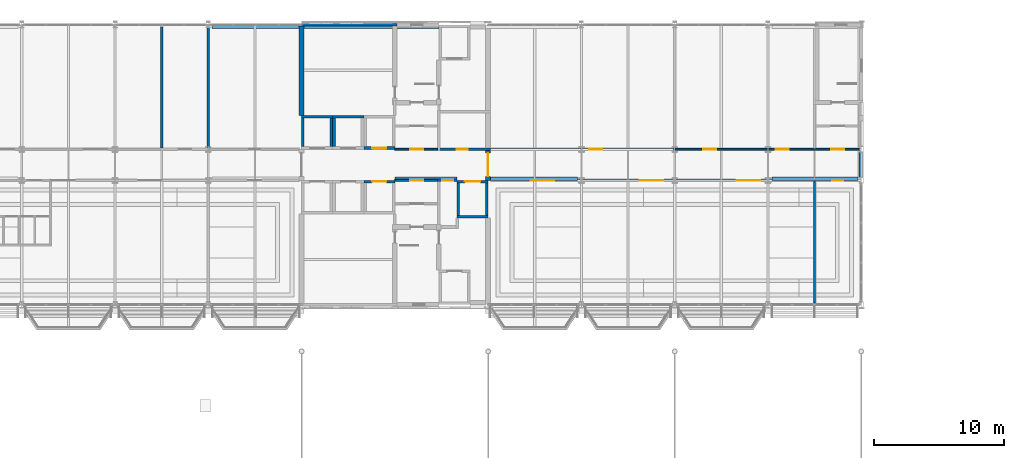
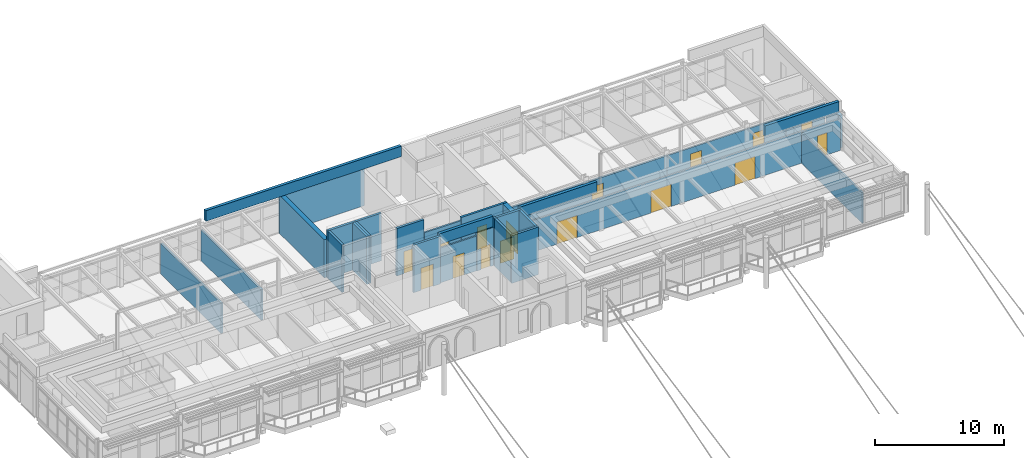
# One storey, part 51 of 68: 30 walls, 16 doors, 16 openings.
"""IFC4 building model written with IfcOpenShell, lengths in metres."""

import ifcopenshell
import ifcopenshell.guid

model = None  # the IFC model being written
_history = None  # IfcOwnerHistory: only IFC2X3 demands one
_inside = {}  # id of a spatial element -> (the spatial element, [elements in it])
_under = {}  # id of a project, library or spatial element -> (it, [spatial elements below it])
_declared = {}  # id of a project -> (the project, [libraries it declares])
_typed = {}  # id of a type object -> (the type object, [elements of that type])
_made_of = {}  # id of a material, layer set ... -> (it, [elements and type objects made of it])


def new_model(schema):
    """Start an empty IFC model of exactly this schema.

    Asked for "IFC4X3", IfcOpenShell would pick the latest addendum, in which some entities
    have other attributes; the version numbers below select the first issue.
    IFC2X3 requires an IfcOwnerHistory on every rooted entity: one is made here for all.
    """
    global model, _history
    if schema == "IFC4X3":
        model = ifcopenshell.file(schema_version=(4, 3, 0, 0))
    else:
        model = ifcopenshell.file(schema=schema)
    _inside.clear()
    _under.clear()
    _declared.clear()
    _typed.clear()
    _made_of.clear()
    _history = None
    if model.schema == "IFC2X3":
        org = make("IfcOrganization", Name="unknown")
        user = make(
            "IfcPersonAndOrganization",
            ThePerson=make("IfcPerson", FamilyName="unknown"),
            TheOrganization=org,
        )
        app = make(
            "IfcApplication",
            ApplicationDeveloper=org,
            Version="unknown",
            ApplicationFullName="unknown",
            ApplicationIdentifier="unknown",
        )
        _history = make(
            "IfcOwnerHistory",
            OwningUser=user,
            OwningApplication=app,
            ChangeAction="ADDED",
            CreationDate=0,
        )
    return model


def make(cls, **values):
    """One entity of the class cls with the attributes given. An attribute that is None is left unset."""
    return model.create_entity(
        cls, **{name: value for name, value in values.items() if value is not None}
    )


def rooted(cls, **values):
    """An entity with a GlobalId (a new one), such as an element, a storey or a relation."""
    return make(cls, GlobalId=ifcopenshell.guid.new(), OwnerHistory=_history, **values)


def si_unit(unit_type, name, prefix=None):
    """IfcSIUnit, for example si_unit("LENGTHUNIT", "METRE", prefix="MILLI")."""
    return make("IfcSIUnit", UnitType=unit_type, Prefix=prefix, Name=name)


def assignment(units):
    """IfcUnitAssignment: the units of a project."""
    return None if units is None else make("IfcUnitAssignment", Units=units)


def point(xyz):
    """IfcCartesianPoint."""
    return None if xyz is None else make("IfcCartesianPoint", Coordinates=xyz)


def direction(xyz):
    """IfcDirection."""
    return None if xyz is None else make("IfcDirection", DirectionRatios=xyz)


def frame(location, z_axis=None, x_axis=None):
    """IfcAxis2Placement3D, a coordinate frame: its origin and axes. An axis left out is left unset."""
    return make(
        "IfcAxis2Placement3D",
        Location=point(location),
        Axis=direction(z_axis),
        RefDirection=direction(x_axis),
    )


def frame_2d(location, x_axis=None):
    """IfcAxis2Placement2D, a coordinate frame in the plane: its origin and x axis."""
    return make(
        "IfcAxis2Placement2D", Location=point(location), RefDirection=direction(x_axis)
    )


def origin():
    """The frame at (0, 0, 0) with its axes left unset."""
    return frame((0.0, 0.0, 0.0))


def place(relative_to, where):
    """IfcLocalPlacement: puts the frame where relative to a parent placement (None: the world)."""
    return make(
        "IfcLocalPlacement", PlacementRelTo=relative_to, RelativePlacement=where
    )


def context(
    kind, dimensions, precision=None, world=None, true_north=None, identifier=None
):
    """IfcGeometricRepresentationContext, for example the 3D "Model" context."""
    return make(
        "IfcGeometricRepresentationContext",
        ContextIdentifier=identifier,
        ContextType=kind,
        CoordinateSpaceDimension=dimensions,
        Precision=precision,
        WorldCoordinateSystem=world,
        TrueNorth=true_north,
    )


def subcontext(parent, identifier, kind, view, scale=None):
    """IfcGeometricRepresentationSubContext, for example "Body" below "Model"."""
    return make(
        "IfcGeometricRepresentationSubContext",
        ContextIdentifier=identifier,
        ContextType=kind,
        ParentContext=parent,
        TargetScale=scale,
        TargetView=view,
    )


def project(units=None, contexts=None):
    """IfcProject with its units and contexts."""
    return rooted(
        "IfcProject",
        Name="project",
        RepresentationContexts=contexts,
        UnitsInContext=assignment(units),
    )


def spatial(cls, under=None, at=None, **own):
    """A site, building, storey or space (cls), placed at a placement, below another one or the project."""
    s = rooted(cls, ObjectPlacement=at, **own)
    if under is not None:
        _under.setdefault(under.id(), (under, []))[1].append(s)
    return s


def profile(cls, at=None, kind="AREA", **sizes):
    """A parametric profile (cls). Its sizes go by their IFC names, for example OverallWidth=200.0."""
    return make(cls, ProfileType=kind, Position=at, **sizes)


def rectangle(**sizes):
    """IfcRectangleProfileDef."""
    return profile("IfcRectangleProfileDef", **sizes)


def extrude(swept, where, along, depth):
    """IfcExtrudedAreaSolid: the profile swept, set in the frame where, extruded along a direction by depth."""
    return make(
        "IfcExtrudedAreaSolid",
        SweptArea=swept,
        Position=where,
        ExtrudedDirection=direction(along),
        Depth=depth,
    )


def shape(context_of_items, identifier, shape_type, items):
    """IfcShapeRepresentation: the items that make up one representation, for example the "Body"."""
    return make(
        "IfcShapeRepresentation",
        ContextOfItems=context_of_items,
        RepresentationIdentifier=identifier,
        RepresentationType=shape_type,
        Items=items,
    )


def material(Name=None, Category=None):
    """IfcMaterial."""
    return make("IfcMaterial", Name=Name, Category=Category)


def layer(
    of_material, thickness, ventilated=None, Name=None, Category=None, Priority=None
):
    """IfcMaterialLayer: one layer of a wall or slab, of a material (None: an air gap)."""
    return make(
        "IfcMaterialLayer",
        Material=of_material,
        LayerThickness=thickness,
        IsVentilated=ventilated,
        Name=Name,
        Category=Category,
        Priority=Priority,
    )


def layer_set(layers, Name=None):
    """IfcMaterialLayerSet."""
    return make("IfcMaterialLayerSet", MaterialLayers=layers, LayerSetName=Name)


def made_of(thing, what):
    """Note that an element or type object is made of a material, layer set ...; save() writes the relation."""
    if what is not None:
        _made_of.setdefault(what.id(), (what, []))[1].append(thing)
    return thing


def type_object(cls, material=None, **own):
    """A type object (cls), such as IfcWallType, which elements share."""
    return made_of(rooted(cls, **own), material)


def element(
    cls,
    number,
    at=None,
    inside=None,
    cuts=None,
    type_object=None,
    material=None,
    context=None,
    identifier="Body",
    shape_type=None,
    held_by="IfcProductDefinitionShape",
    body=None,
    shapes=None,
    **own,
):
    """One element of the class cls, such as IfcWall. Its Tag is "e" and its number.

    at: its placement. inside: the storey or other place that contains it. cuts: it is an
    opening in that element (IfcRelVoidsElement). A single representation is given by context,
    identifier, shape_type and body (its items); several are given by shapes. held_by: the class
    of the entity that holds the representations. save() writes the other relations.
    """
    e = rooted(cls, Tag="e%d" % number, ObjectPlacement=at, **own)
    if body is not None:
        shapes = [shape(context, identifier, shape_type, body)]
    if shapes is not None:
        e.Representation = make(held_by, Representations=shapes)
    if inside is not None:
        _inside.setdefault(inside.id(), (inside, []))[1].append(e)
    if cuts is not None:
        rooted(
            "IfcRelVoidsElement", RelatingBuildingElement=cuts, RelatedOpeningElement=e
        )
    if type_object is not None:
        _typed.setdefault(type_object.id(), (type_object, []))[1].append(e)
    return made_of(e, material)


def fill(opening, filler):
    """IfcRelFillsElement: the door or window that sits in an opening."""
    return rooted(
        "IfcRelFillsElement",
        RelatingOpeningElement=opening,
        RelatedBuildingElement=filler,
    )


def aggregate(whole, parts):
    """IfcRelAggregates: a whole, such as a stair, and the parts it consists of."""
    return rooted("IfcRelAggregates", RelatingObject=whole, RelatedObjects=parts)


def save(model, path):
    """Write the relations noted so far, then the file.

    IfcRelAggregates (storeys below a building ...), IfcRelContainedInSpatialStructure (elements
    in a storey), IfcRelDefinesByType, IfcRelAssociatesMaterial and IfcRelDeclares: one each for
    every whole, place, type object, material and project.
    """
    for whole, parts in _under.values():
        aggregate(whole, parts)
    for where, things in _inside.values():
        rooted(
            "IfcRelContainedInSpatialStructure",
            RelatedElements=things,
            RelatingStructure=where,
        )
    for kind, things in _typed.values():
        rooted("IfcRelDefinesByType", RelatedObjects=things, RelatingType=kind)
    for what, things in _made_of.values():
        rooted("IfcRelAssociatesMaterial", RelatedObjects=things, RelatingMaterial=what)
    for by, libraries in _declared.values():
        rooted("IfcRelDeclares", RelatingContext=by, RelatedDefinitions=libraries)
    model.write(path)


model = new_model("IFC4")

# Units and contexts
model_context = context("Model", 3, precision=1e-05, world=origin(), true_north=direction((0.0, 1.0)))
body_context = subcontext(model_context, "Body", "Model", "MODEL_VIEW")
ifc_project = project(units=[si_unit("LENGTHUNIT", "METRE"), si_unit("AREAUNIT", "SQUARE_METRE"), si_unit("VOLUMEUNIT", "CUBIC_METRE"), si_unit("PLANEANGLEUNIT", "RADIAN"), si_unit("MASSUNIT", "GRAM", prefix="KILO")], contexts=[model_context])

# Site, building, storey
site_placement = place(None, origin())
site = spatial("IfcSite", under=ifc_project, at=site_placement, CompositionType="ELEMENT")
building_placement = place(site_placement, origin())
building = spatial("IfcBuilding", under=site, at=building_placement, Name="Kupolbacken Congress Centre", CompositionType="ELEMENT")
storey_placement = place(building_placement, frame((0.0, 0.0, 25.199951171875)))
storey = spatial("IfcBuildingStorey", under=building, at=storey_placement, Name="L07", CompositionType="ELEMENT", Elevation=25.199951171875)

# Wall
ifc_material_1 = material(Name="Brick", Category="masonry")
ifc_layer_1 = layer(ifc_material_1, 0.10791015625)
ifc_material_2 = material(Name="Air cavity", Category="air")
ifc_layer_2 = layer(ifc_material_2, 0.050048828125, ventilated=True)
ifc_material_3 = material(Name="Mineral wool", Category="insulation")
ifc_layer_3 = layer(ifc_material_3, 0.1298828125)
ifc_material_4 = material(Name="Steel studs", Category="metal")
ifc_layer_4 = layer(ifc_material_4, 0.052001953125)
ifc_layer_set_1 = layer_set([ifc_layer_1, ifc_layer_2, ifc_layer_3, ifc_layer_4], Name="Brick / Mineral wool / Steel studs")
wall_type_1 = type_object("IfcWallType", Name="EW02 external cavity wall 340", PredefinedType="SOLIDWALL", material=ifc_layer_set_1)
wall_1_placement = place(storey_placement, frame((136.800048828125, 132.22509765625, 0.0), z_axis=(0.0, 0.0, 1.0), x_axis=(0.0, 1.0, 0.0)))
element("IfcWall", 1, at=wall_1_placement, inside=storey, type_object=wall_type_1, Name="E/T/E/L07/100", PredefinedType="SOLIDWALL", context=body_context, shape_type="SweptSolid", body=[
    extrude(rectangle(XDim=1.949951171875, YDim=0.340087890625, at=frame_2d((0.97509765625, 0.0))), origin(), (0.0, 0.0, 1.0), 3.090087890625),
])

# Wall, openings, doors
ifc_material_5 = material(Name="Gypsum board", Category="drywall")
ifc_layer_5 = layer(ifc_material_5, 0.135009765625)
ifc_layer_set_2 = layer_set([ifc_layer_5], Name="Gypsum board")
wall_type_2 = type_object("IfcWallType", Name="P06 compartment wall 135", PredefinedType="PARTITIONING", material=ifc_layer_set_2)
wall_2_placement = place(storey_placement, frame((108.199951171875, 132.0, 0.0), z_axis=(0.0, 0.0, 1.0), x_axis=(1.0, 0.0, 0.0)))
wall_2 = element("IfcWall", 2, at=wall_2_placement, inside=storey, type_object=wall_type_2, Name="T/wall/L07/x/13200/10800", PredefinedType="PARTITIONING", context=body_context, shape_type="SweptSolid", body=[
    extrude(rectangle(XDim=28.429931640625, YDim=0.135009765625, at=frame_2d((14.21484375, 0.0))), origin(), (0.0, 0.0, 1.0), 2.989990234375),
])
opening_1_placement = place(wall_2_placement, frame((26.375, 0.0, 0.0)))
opening_1 = element("IfcOpeningElement", 3, at=opening_1_placement, cuts=wall_2, Name="Opening D3", PredefinedType="OPENING", context=body_context, shape_type="SweptSolid", body=[
    extrude(rectangle(XDim=0.85009765625, YDim=2.10009765625, at=frame_2d((0.425048828125, 1.050048828125))), frame((0.0, 0.077392578125, 0.0), z_axis=(0.0, -1.0, 0.0), x_axis=(1.0, 0.0, 0.0)), (0.0, 0.0, 1.0), 0.155029296875),
])
opening_2_placement = place(wall_2_placement, frame((3.10009765625, 0.0, 0.0)))
opening_2 = element("IfcOpeningElement", 4, at=opening_2_placement, cuts=wall_2, Name="Opening D14", PredefinedType="OPENING", context=body_context, shape_type="SweptSolid", body=[
    extrude(rectangle(XDim=1.800048828125, YDim=2.10009765625, at=frame_2d((0.89990234375, 1.050048828125))), frame((0.0, 0.077392578125, 0.0), z_axis=(0.0, -1.0, 0.0), x_axis=(1.0, 0.0, 0.0)), (0.0, 0.0, 1.0), 0.155029296875),
])
opening_3_placement = place(wall_2_placement, frame((11.5, 0.0, 0.0)))
opening_3 = element("IfcOpeningElement", 5, at=opening_3_placement, cuts=wall_2, Name="Opening D14", PredefinedType="OPENING", context=body_context, shape_type="SweptSolid", body=[
    extrude(rectangle(XDim=1.800048828125, YDim=2.10009765625, at=frame_2d((0.89990234375, 1.050048828125))), frame((0.0, 0.077392578125, 0.0), z_axis=(0.0, -1.0, 0.0), x_axis=(1.0, 0.0, 0.0)), (0.0, 0.0, 1.0), 0.155029296875),
])
opening_4_placement = place(wall_2_placement, frame((19.0, 0.0, 0.0)))
opening_4 = element("IfcOpeningElement", 6, at=opening_4_placement, cuts=wall_2, Name="Opening D14", PredefinedType="OPENING", context=body_context, shape_type="SweptSolid", body=[
    extrude(rectangle(XDim=1.800048828125, YDim=2.10009765625, at=frame_2d((0.89990234375, 1.050048828125))), frame((0.0, 0.077392578125, 0.0), z_axis=(0.0, -1.0, 0.0), x_axis=(1.0, 0.0, 0.0)), (0.0, 0.0, 1.0), 0.155029296875),
])
ifc_material_6 = material(Name="Steel fire door leaf", Category="steel")
door_type_1 = type_object("IfcDoorType", Name="D14 fire door 1800x2100", OperationType="DOUBLE_DOOR_SINGLE_SWING", PredefinedType="DOOR", material=ifc_material_6)
door_1_placement = place(opening_2_placement, frame((1.800048828125, 0.0, 0.0), z_axis=(0.0, 0.0, 1.0), x_axis=(-1.0, 0.0, 0.0)))
door_1 = element("IfcDoor", 7, at=door_1_placement, inside=storey, type_object=door_type_1, Name="T/wall/L07/x/13200/10800/D-TRS2-S1", OperationType="DOUBLE_DOOR_SINGLE_SWING", OverallHeight=2.10009765625, OverallWidth=1.800048828125, PredefinedType="DOOR", context=body_context, shape_type="SweptSolid", body=[
    extrude(rectangle(XDim=1.800048828125, YDim=2.10009765625, at=frame_2d((0.89990234375, 1.050048828125))), frame((0.0, 0.02490234375, 0.0), z_axis=(0.0, -1.0, 0.0), x_axis=(1.0, 0.0, 0.0)), (0.0, 0.0, 1.0), 0.050048828125),
])
fill(opening_2, door_1)
door_2_placement = place(opening_3_placement, origin())
door_2 = element("IfcDoor", 8, at=door_2_placement, inside=storey, type_object=door_type_1, Name="T/wall/L07/x/13200/10800/D-TRS2-S2", OperationType="DOUBLE_DOOR_SINGLE_SWING", OverallHeight=2.10009765625, OverallWidth=1.800048828125, PredefinedType="DOOR", context=body_context, shape_type="SweptSolid", body=[
    extrude(rectangle(XDim=1.800048828125, YDim=2.10009765625, at=frame_2d((0.89990234375, 1.050048828125))), frame((0.0, 0.02490234375, 0.0), z_axis=(0.0, -1.0, 0.0), x_axis=(1.0, 0.0, 0.0)), (0.0, 0.0, 1.0), 0.050048828125),
])
fill(opening_3, door_2)
door_3_placement = place(opening_4_placement, origin())
door_3 = element("IfcDoor", 9, at=door_3_placement, inside=storey, type_object=door_type_1, Name="T/wall/L07/x/13200/10800/D-TRS2-S3", OperationType="DOUBLE_DOOR_SINGLE_SWING", OverallHeight=2.10009765625, OverallWidth=1.800048828125, PredefinedType="DOOR", context=body_context, shape_type="SweptSolid", body=[
    extrude(rectangle(XDim=1.800048828125, YDim=2.10009765625, at=frame_2d((0.89990234375, 1.050048828125))), frame((0.0, 0.02490234375, 0.0), z_axis=(0.0, -1.0, 0.0), x_axis=(1.0, 0.0, 0.0)), (0.0, 0.0, 1.0), 0.050048828125),
])
fill(opening_4, door_3)
ifc_material_7 = material(Name="Steel fire door leaf", Category="steel")
door_type_2 = type_object("IfcDoorType", Name="D3 fire door 850x2100", OperationType="SINGLE_SWING_LEFT", PredefinedType="DOOR", material=ifc_material_7)
door_4_placement = place(opening_1_placement, frame((0.85009765625, 0.0, 0.0), z_axis=(0.0, 0.0, 1.0), x_axis=(-1.0, 0.0, 0.0)))
door_4 = element("IfcDoor", 10, at=door_4_placement, inside=storey, type_object=door_type_2, Name="T/wall/L07/x/13200/10800/D-EE-D", OperationType="SINGLE_SWING_LEFT", OverallHeight=2.10009765625, OverallWidth=0.85009765625, PredefinedType="DOOR", context=body_context, shape_type="SweptSolid", body=[
    extrude(rectangle(XDim=0.85009765625, YDim=2.10009765625, at=frame_2d((0.425048828125, 1.050048828125))), frame((0.0, 0.02490234375, 0.0), z_axis=(0.0, -1.0, 0.0), x_axis=(1.0, 0.0, 0.0)), (0.0, 0.0, 1.0), 0.050048828125),
])
fill(opening_1, door_4)

wall_3_placement = place(storey_placement, frame((122.3125, 134.39990234375, 0.0), z_axis=(0.0, 0.0, 1.0), x_axis=(1.0, 0.0, 0.0)))
wall_3 = element("IfcWall", 11, at=wall_3_placement, inside=storey, type_object=wall_type_2, Name="T/wall/L07/x/13440/12240", PredefinedType="PARTITIONING", context=body_context, shape_type="SweptSolid", body=[
    extrude(rectangle(XDim=10.95751953125, YDim=0.135009765625, at=frame_2d((5.478759765625, 0.0))), origin(), (0.0, 0.0, 1.0), 2.989990234375),
])
opening_5_placement = place(wall_3_placement, frame((2.28759765625, 0.0, 0.0)))
opening_5 = element("IfcOpeningElement", 12, at=opening_5_placement, cuts=wall_3, Name="Opening D8", PredefinedType="OPENING", context=body_context, shape_type="SweptSolid", body=[
    extrude(rectangle(XDim=1.0, YDim=2.39990234375, at=frame_2d((0.5, 1.199951171875))), frame((0.0, 0.077392578125, 0.0), z_axis=(0.0, -1.0, 0.0), x_axis=(1.0, 0.0, 0.0)), (0.0, 0.0, 1.0), 0.155029296875),
])
opening_6_placement = place(wall_3_placement, frame((7.887451171875, 0.0, 0.0)))
opening_6 = element("IfcOpeningElement", 13, at=opening_6_placement, cuts=wall_3, Name="Opening D8", PredefinedType="OPENING", context=body_context, shape_type="SweptSolid", body=[
    extrude(rectangle(XDim=1.0, YDim=2.39990234375, at=frame_2d((0.5, 1.199951171875))), frame((0.0, 0.077392578125, 0.0), z_axis=(0.0, -1.0, 0.0), x_axis=(1.0, 0.0, 0.0)), (0.0, 0.0, 1.0), 0.155029296875),
])
ifc_material_8 = material(Name="Steel fire door leaf", Category="steel")
door_type_3 = type_object("IfcDoorType", Name="D8 fire door 1000x2400", OperationType="SINGLE_SWING_LEFT", PredefinedType="DOOR", material=ifc_material_8)
door_5_placement = place(opening_5_placement, frame((1.0, 0.0, 0.0), z_axis=(0.0, 0.0, 1.0), x_axis=(-1.0, 0.0, 0.0)))
door_5 = element("IfcDoor", 14, at=door_5_placement, inside=storey, type_object=door_type_3, Name="T/wall/L07/x/13440/12240/D-SK2-S1", OperationType="SINGLE_SWING_RIGHT", OverallHeight=2.39990234375, OverallWidth=1.0, PredefinedType="DOOR", context=body_context, shape_type="SweptSolid", body=[
    extrude(rectangle(XDim=1.0, YDim=2.39990234375, at=frame_2d((0.5, 1.199951171875))), frame((0.0, 0.02490234375, 0.0), z_axis=(0.0, -1.0, 0.0), x_axis=(1.0, 0.0, 0.0)), (0.0, 0.0, 1.0), 0.050048828125),
])
fill(opening_5, door_5)
door_6_placement = place(opening_6_placement, frame((1.0, 0.0, 0.0), z_axis=(0.0, 0.0, 1.0), x_axis=(-1.0, 0.0, 0.0)))
door_6 = element("IfcDoor", 15, at=door_6_placement, inside=storey, type_object=door_type_3, Name="T/wall/L07/x/13440/12240/D-SK2-S2", OperationType="SINGLE_SWING_LEFT", OverallHeight=2.39990234375, OverallWidth=1.0, PredefinedType="DOOR", context=body_context, shape_type="SweptSolid", body=[
    extrude(rectangle(XDim=1.0, YDim=2.39990234375, at=frame_2d((0.5, 1.199951171875))), frame((0.0, 0.02490234375, 0.0), z_axis=(0.0, -1.0, 0.0), x_axis=(1.0, 0.0, 0.0)), (0.0, 0.0, 1.0), 0.050048828125),
])
fill(opening_6, door_6)

# Wall
wall_4_placement = place(storey_placement, frame((133.199951171875, 122.570068359375, 0.0), z_axis=(0.0, 0.0, 1.0), x_axis=(0.0, 1.0, 0.0)))
element("IfcWall", 16, at=wall_4_placement, inside=storey, type_object=wall_type_2, Name="T/wall/L07/y/13320/12240", PredefinedType="PARTITIONING", context=body_context, shape_type="SweptSolid", body=[
    extrude(rectangle(XDim=9.362548828125, YDim=0.135009765625, at=frame_2d((4.68115234375, 0.0))), origin(), (0.0, 0.0, 1.0), 2.89013671875),
])

# Wall, opening, door
ifc_material_9 = material(Name="Gypsum board", Category="drywall")
ifc_layer_6 = layer(ifc_material_9, 0.175048828125)
ifc_layer_set_3 = layer_set([ifc_layer_6], Name="Gypsum board")
wall_type_3 = type_object("IfcWallType", Name="P09 partition 175", PredefinedType="PARTITIONING", material=ifc_layer_set_3)
wall_5_placement = place(storey_placement, frame((108.199951171875, 134.39990234375, 0.0), z_axis=(0.0, 0.0, 1.0), x_axis=(1.0, 0.0, 0.0)))
wall_5 = element("IfcWall", 17, at=wall_5_placement, inside=storey, type_object=wall_type_3, Name="T/wall/L07/x/13440/10810", PredefinedType="PARTITIONING", context=body_context, shape_type="SweptSolid", body=[
    extrude(rectangle(XDim=14.28759765625, YDim=0.175048828125, at=frame_2d((7.143798828125, 0.0))), origin(), (0.0, 0.0, 1.0), 2.989990234375),
])
opening_7_placement = place(wall_5_placement, frame((7.60009765625, 0.0, 0.0)))
opening_7 = element("IfcOpeningElement", 18, at=opening_7_placement, cuts=wall_5, Name="Opening D8", PredefinedType="OPENING", context=body_context, shape_type="SweptSolid", body=[
    extrude(rectangle(XDim=1.0, YDim=2.39990234375, at=frame_2d((0.5, 1.199951171875))), frame((0.0, 0.097412109375, 0.0), z_axis=(0.0, -1.0, 0.0), x_axis=(1.0, 0.0, 0.0)), (0.0, 0.0, 1.0), 0.195068359375),
])
door_7_placement = place(opening_7_placement, origin())
door_7 = element("IfcDoor", 19, at=door_7_placement, inside=storey, type_object=door_type_3, Name="T/wall/L07/x/13440/10810/D-KN2-S1", OperationType="SINGLE_SWING_LEFT", OverallHeight=2.39990234375, OverallWidth=1.0, PredefinedType="DOOR", context=body_context, shape_type="SweptSolid", body=[
    extrude(rectangle(XDim=1.0, YDim=2.39990234375, at=frame_2d((0.5, 1.199951171875))), frame((0.0, 0.02490234375, 0.0), z_axis=(0.0, -1.0, 0.0), x_axis=(1.0, 0.0, 0.0)), (0.0, 0.0, 1.0), 0.050048828125),
])
fill(opening_7, door_7)

# Walls
for number, where, z_axis, x_axis, name in (
    (20, (82.800048828125, 134.487548828125, 0.0), (0.0, 0.0, 1.0), (0.0, 1.0, 0.0), "T/wall/L07/y/8280/13440"),
    (21, (86.39990234375, 134.487548828125, 0.0), (0.0, 0.0, 1.0), (0.0, 1.0, 0.0), "T/wall/L07/y/8640/13440"),
):
    element("IfcWall", number, at=place(storey_placement, frame(where, z_axis=z_axis, x_axis=x_axis)), inside=storey, type_object=wall_type_3, Name=name, PredefinedType="PARTITIONING", context=body_context, shape_type="SweptSolid", body=[
        extrude(rectangle(XDim=9.342529296875, YDim=0.175048828125, at=frame_2d((4.67138671875, 0.0))), origin(), (0.0, 0.0, 1.0), 2.89013671875),
    ])

# Wall, opening, door
ifc_material_10 = material(Name="Aerated concrete block", Category="masonry")
ifc_layer_7 = layer(ifc_material_10, 0.139892578125)
ifc_layer_set_4 = layer_set([ifc_layer_7], Name="Aerated concrete block")
wall_type_4 = type_object("IfcWallType", Name="P14 compartment wall 140", PredefinedType="PARTITIONING", material=ifc_layer_set_4)
wall_6_placement = place(storey_placement, frame((100.800048828125, 132.0, 0.0), z_axis=(0.0, 0.0, 1.0), x_axis=(1.0, 0.0, 0.0)))
wall_6 = element("IfcWall", 22, at=wall_6_placement, inside=storey, type_object=wall_type_4, Name="T/wall/L07/x/13200/10080", PredefinedType="PARTITIONING", context=body_context, shape_type="SweptSolid", body=[
    extrude(rectangle(XDim=3.300048828125, YDim=0.139892578125, at=frame_2d((1.64990234375, 0.0))), origin(), (0.0, 0.0, 1.0), 3.2900390625),
])
opening_8_placement = place(wall_6_placement, frame((1.199951171875, 0.0, 0.0)))
opening_8 = element("IfcOpeningElement", 23, at=opening_8_placement, cuts=wall_6, Name="Opening D5", PredefinedType="OPENING", context=body_context, shape_type="SweptSolid", body=[
    extrude(rectangle(XDim=1.0, YDim=2.10009765625, at=frame_2d((0.5, 1.050048828125))), frame((0.0, 0.079833984375, 0.0), z_axis=(0.0, -1.0, 0.0), x_axis=(1.0, 0.0, 0.0)), (0.0, 0.0, 1.0), 0.159912109375),
])
ifc_material_11 = material(Name="Steel fire door leaf", Category="steel")
door_type_4 = type_object("IfcDoorType", Name="D5 stair door 1000x2100", OperationType="SINGLE_SWING_LEFT", PredefinedType="DOOR", material=ifc_material_11)
door_8_placement = place(opening_8_placement, frame((1.0, 0.0, 0.0), z_axis=(0.0, 0.0, 1.0), x_axis=(-1.0, 0.0, 0.0)))
door_8 = element("IfcDoor", 24, at=door_8_placement, inside=storey, type_object=door_type_4, Name="T/wall/L07/x/13200/10080/D-TS1-LK3", OperationType="SINGLE_SWING_RIGHT", OverallHeight=2.10009765625, OverallWidth=1.0, PredefinedType="DOOR", context=body_context, shape_type="SweptSolid", body=[
    extrude(rectangle(XDim=1.0, YDim=2.10009765625, at=frame_2d((0.5, 1.050048828125))), frame((0.0, 0.02490234375, 0.0), z_axis=(0.0, -1.0, 0.0), x_axis=(1.0, 0.0, 0.0)), (0.0, 0.0, 1.0), 0.050048828125),
])
fill(opening_8, door_8)

wall_7_placement = place(storey_placement, frame((100.800048828125, 134.39990234375, 0.0), z_axis=(0.0, 0.0, 1.0), x_axis=(1.0, 0.0, 0.0)))
wall_7 = element("IfcWall", 25, at=wall_7_placement, inside=storey, type_object=wall_type_4, Name="T/wall/L07/x/13440/10080", PredefinedType="PARTITIONING", context=body_context, shape_type="SweptSolid", body=[
    extrude(rectangle(XDim=3.300048828125, YDim=0.139892578125, at=frame_2d((1.64990234375, 0.0))), origin(), (0.0, 0.0, 1.0), 3.2900390625),
])
opening_9_placement = place(wall_7_placement, frame((1.199951171875, 0.0, 0.0)))
opening_9 = element("IfcOpeningElement", 26, at=opening_9_placement, cuts=wall_7, Name="Opening D5", PredefinedType="OPENING", context=body_context, shape_type="SweptSolid", body=[
    extrude(rectangle(XDim=1.0, YDim=2.10009765625, at=frame_2d((0.5, 1.050048828125))), frame((0.0, 0.079833984375, 0.0), z_axis=(0.0, -1.0, 0.0), x_axis=(1.0, 0.0, 0.0)), (0.0, 0.0, 1.0), 0.159912109375),
])
door_9_placement = place(opening_9_placement, frame((1.0, 0.0, 0.0), z_axis=(0.0, 0.0, 1.0), x_axis=(-1.0, 0.0, 0.0)))
door_9 = element("IfcDoor", 27, at=door_9_placement, inside=storey, type_object=door_type_4, Name="T/wall/L07/x/13440/10080/D-TS2-LK3", OperationType="SINGLE_SWING_LEFT", OverallHeight=2.10009765625, OverallWidth=1.0, PredefinedType="DOOR", context=body_context, shape_type="SweptSolid", body=[
    extrude(rectangle(XDim=1.0, YDim=2.10009765625, at=frame_2d((0.5, 1.050048828125))), frame((0.0, 0.02490234375, 0.0), z_axis=(0.0, -1.0, 0.0), x_axis=(1.0, 0.0, 0.0)), (0.0, 0.0, 1.0), 0.050048828125),
])
fill(opening_9, door_9)

wall_8_placement = place(storey_placement, frame((133.1298828125, 134.39990234375, 0.0), z_axis=(0.0, 0.0, 1.0), x_axis=(1.0, 0.0, 0.0)))
wall_8 = element("IfcWall", 28, at=wall_8_placement, inside=storey, type_object=wall_type_4, Name="T/wall/L07/x/13440/13320", PredefinedType="PARTITIONING", context=body_context, shape_type="SweptSolid", body=[
    extrude(rectangle(XDim=3.5, YDim=0.139892578125, at=frame_2d((1.75, 0.0))), origin(), (0.0, 0.0, 1.0), 2.989990234375),
])
opening_10_placement = place(wall_8_placement, frame((1.3701171875, 0.0, 0.0)))
opening_10 = element("IfcOpeningElement", 29, at=opening_10_placement, cuts=wall_8, Name="Opening D5", PredefinedType="OPENING", context=body_context, shape_type="SweptSolid", body=[
    extrude(rectangle(XDim=1.0, YDim=2.10009765625, at=frame_2d((0.5, 1.050048828125))), frame((0.0, 0.079833984375, 0.0), z_axis=(0.0, -1.0, 0.0), x_axis=(1.0, 0.0, 0.0)), (0.0, 0.0, 1.0), 0.159912109375),
])
door_10_placement = place(opening_10_placement, frame((1.0, 0.0, 0.0), z_axis=(0.0, 0.0, 1.0), x_axis=(-1.0, 0.0, 0.0)))
door_10 = element("IfcDoor", 30, at=door_10_placement, inside=storey, type_object=door_type_4, Name="T/wall/L07/x/13440/13320/D-TS4-LK3", OperationType="SINGLE_SWING_RIGHT", OverallHeight=2.10009765625, OverallWidth=1.0, PredefinedType="DOOR", context=body_context, shape_type="SweptSolid", body=[
    extrude(rectangle(XDim=1.0, YDim=2.10009765625, at=frame_2d((0.5, 1.050048828125))), frame((0.0, 0.02490234375, 0.0), z_axis=(0.0, -1.0, 0.0), x_axis=(1.0, 0.0, 0.0)), (0.0, 0.0, 1.0), 0.050048828125),
])
fill(opening_10, door_10)

# Walls
ifc_layer_8 = layer(ifc_material_1, 0.10791015625)
ifc_material_12 = material(Name="Concrete block", Category="masonry")
ifc_layer_9 = layer(ifc_material_12, 0.152099609375)
ifc_layer_set_5 = layer_set([ifc_layer_8, ifc_layer_9], Name="Brick / Concrete block")
wall_type_5 = type_object("IfcWallType", Name="PW2 parapet 260", PredefinedType="PARAPET", material=ifc_layer_set_5)
wall_9_placement = place(storey_placement, frame((100.800048828125, 132.1298828125, 3.60009765625), z_axis=(0.0, 0.0, 1.0), x_axis=(1.0, 0.0, 0.0)))
element("IfcWall", 31, at=wall_9_placement, inside=storey, type_object=wall_type_5, Name="E/T/parapet/S3", PredefinedType="PARAPET", context=body_context, shape_type="SweptSolid", body=[
    extrude(rectangle(XDim=4.800048828125, YDim=0.260009765625, at=frame_2d((2.39990234375, 0.0))), origin(), (0.0, 0.0, 1.0), 1.0),
])
wall_10_placement = place(storey_placement, frame((108.0, 132.1298828125, 3.60009765625), z_axis=(0.0, 0.0, 1.0), x_axis=(1.0, 0.0, 0.0)))
element("IfcWall", 32, at=wall_10_placement, inside=storey, type_object=wall_type_5, Name="E/T/parapet/S4", PredefinedType="PARAPET", context=body_context, shape_type="SweptSolid", body=[
    extrude(rectangle(XDim=6.89990234375, YDim=0.260009765625, at=frame_2d((3.449951171875, 0.0))), origin(), (0.0, 0.0, 1.0), 1.0),
])
wall_11_placement = place(storey_placement, frame((129.89990234375, 132.1298828125, 3.60009765625), z_axis=(0.0, 0.0, 1.0), x_axis=(1.0, 0.0, 0.0)))
element("IfcWall", 33, at=wall_11_placement, inside=storey, type_object=wall_type_5, Name="E/T/parapet/S5", PredefinedType="PARAPET", context=body_context, shape_type="SweptSolid", body=[
    extrude(rectangle(XDim=6.64013671875, YDim=0.260009765625, at=frame_2d((3.320068359375, 0.0))), origin(), (0.0, 0.0, 1.0), 1.0),
])
wall_12_placement = place(storey_placement, frame((86.699951171875, 143.8701171875, 3.60009765625), z_axis=(0.0, 0.0, 1.0), x_axis=(1.0, 0.0, 0.0)))
element("IfcWall", 34, at=wall_12_placement, inside=storey, type_object=wall_type_5, Name="E/T/parapet/N2", PredefinedType="PARAPET", context=body_context, shape_type="SweptSolid", body=[
    extrude(rectangle(XDim=17.5, YDim=0.260009765625, at=frame_2d((8.75, 0.0))), origin(), (0.0, 0.0, 1.0), 1.0),
])

# Wall, opening, door
ifc_material_13 = material(Name="Concrete C40/50", Category="concrete")
ifc_layer_10 = layer(ifc_material_13, 0.199951171875)
ifc_layer_set_6 = layer_set([ifc_layer_10], Name="Concrete C40/50")
wall_type_6 = type_object("IfcWallType", Name="WC1 RC shaft wall 200", PredefinedType="SHEAR", material=ifc_layer_set_6)
wall_13_placement = place(storey_placement, frame((105.60009765625, 132.0, 0.0), z_axis=(0.0, 0.0, 1.0), x_axis=(-1.0, 0.0, 0.0)))
wall_13 = element("IfcWall", 35, at=wall_13_placement, inside=storey, type_object=wall_type_6, Name="Shaft wall L07-110", PredefinedType="SHEAR", context=body_context, shape_type="SweptSolid", body=[
    extrude(rectangle(XDim=1.5, YDim=0.199951171875, at=frame_2d((0.75, 0.0))), origin(), (0.0, 0.0, 1.0), 3.60009765625),
])
opening_11_placement = place(wall_13_placement, frame((0.27490234375, 0.0, 0.0)))
opening_11 = element("IfcOpeningElement", 36, at=opening_11_placement, cuts=wall_13, Name="Opening D3", PredefinedType="OPENING", context=body_context, shape_type="SweptSolid", body=[
    extrude(rectangle(XDim=0.85009765625, YDim=2.10009765625, at=frame_2d((0.425048828125, 1.050048828125))), frame((0.0, 0.10986328125, 0.0), z_axis=(0.0, -1.0, 0.0), x_axis=(1.0, 0.0, 0.0)), (0.0, 0.0, 1.0), 0.219970703125),
])
door_11_placement = place(opening_11_placement, origin())
door_11 = element("IfcDoor", 37, at=door_11_placement, inside=storey, type_object=door_type_2, Name="S/core/L07/110/D-TR3-A", OperationType="SINGLE_SWING_LEFT", OverallHeight=2.10009765625, OverallWidth=0.85009765625, PredefinedType="DOOR", context=body_context, shape_type="SweptSolid", body=[
    extrude(rectangle(XDim=0.85009765625, YDim=2.10009765625, at=frame_2d((0.425048828125, 1.050048828125))), frame((0.0, 0.02490234375, 0.0), z_axis=(0.0, -1.0, 0.0), x_axis=(1.0, 0.0, 0.0)), (0.0, 0.0, 1.0), 0.050048828125),
])
fill(opening_11, door_11)

wall_14_placement = place(storey_placement, frame((104.10009765625, 134.39990234375, 0.0), z_axis=(0.0, 0.0, 1.0), x_axis=(1.0, 0.0, 0.0)))
wall_14 = element("IfcWall", 38, at=wall_14_placement, inside=storey, type_object=wall_type_6, Name="Shaft wall L07-112", PredefinedType="SHEAR", context=body_context, shape_type="SweptSolid", body=[
    extrude(rectangle(XDim=4.099853515625, YDim=0.199951171875, at=frame_2d((2.0498046875, 0.0))), origin(), (0.0, 0.0, 1.0), 3.60009765625),
])
opening_12_placement = place(wall_14_placement, frame((1.47509765625, 0.0, 0.0)))
opening_12 = element("IfcOpeningElement", 39, at=opening_12_placement, cuts=wall_14, Name="Opening D3", PredefinedType="OPENING", context=body_context, shape_type="SweptSolid", body=[
    extrude(rectangle(XDim=0.85009765625, YDim=2.10009765625, at=frame_2d((0.425048828125, 1.050048828125))), frame((0.0, 0.10986328125, 0.0), z_axis=(0.0, -1.0, 0.0), x_axis=(1.0, 0.0, 0.0)), (0.0, 0.0, 1.0), 0.219970703125),
])
door_12_placement = place(opening_12_placement, origin())
door_12 = element("IfcDoor", 40, at=door_12_placement, inside=storey, type_object=door_type_2, Name="S/core/L07/112/D-TR4-A", OperationType="SINGLE_SWING_RIGHT", OverallHeight=2.10009765625, OverallWidth=0.85009765625, PredefinedType="DOOR", context=body_context, shape_type="SweptSolid", body=[
    extrude(rectangle(XDim=0.85009765625, YDim=2.10009765625, at=frame_2d((0.425048828125, 1.050048828125))), frame((0.0, 0.02490234375, 0.0), z_axis=(0.0, -1.0, 0.0), x_axis=(1.0, 0.0, 0.0)), (0.0, 0.0, 1.0), 0.050048828125),
])
fill(opening_12, door_12)

# Wall
wall_15_placement = place(storey_placement, frame((100.97509765625, 144.0, 0.0), z_axis=(0.0, 0.0, 1.0), x_axis=(-1.0, 0.0, 0.0)))
element("IfcWall", 41, at=wall_15_placement, inside=storey, type_object=wall_type_6, Name="Shaft wall L07-128", PredefinedType="SHEAR", context=body_context, shape_type="SweptSolid", body=[
    extrude(rectangle(XDim=7.5751953125, YDim=0.199951171875, at=frame_2d((3.78759765625, 0.0))), origin(), (0.0, 0.0, 1.0), 3.60009765625),
])

# Wall, opening, door
wall_16_placement = place(storey_placement, frame((98.39990234375, 131.89990234375, 0.0), z_axis=(0.0, 0.0, 1.0), x_axis=(1.0, 0.0, 0.0)))
wall_16 = element("IfcWall", 42, at=wall_16_placement, inside=storey, type_object=wall_type_6, Name="Shaft wall LP11", PredefinedType="SHEAR", context=body_context, shape_type="SweptSolid", body=[
    extrude(rectangle(XDim=2.400146484375, YDim=0.199951171875, at=frame_2d((1.2001953125, 0.0))), origin(), (0.0, 0.0, 1.0), 4.5),
])
opening_13_placement = place(wall_16_placement, frame((0.64990234375, 0.0, 0.0)))
opening_13 = element("IfcOpeningElement", 43, at=opening_13_placement, cuts=wall_16, Name="Opening LD2", PredefinedType="OPENING", context=body_context, shape_type="SweptSolid", body=[
    extrude(rectangle(XDim=1.10009765625, YDim=2.10009765625, at=frame_2d((0.550048828125, 1.050048828125))), frame((0.0, 0.10986328125, 0.0), z_axis=(0.0, -1.0, 0.0), x_axis=(1.0, 0.0, 0.0)), (0.0, 0.0, 1.0), 0.219970703125),
])
ifc_material_14 = material(Name="Stainless steel door leaf", Category="steel")
door_type_5 = type_object("IfcDoorType", Name="LD2 lift landing door 1100x2100", OperationType="SLIDING_TO_LEFT", PredefinedType="DOOR", material=ifc_material_14)
door_13_placement = place(opening_13_placement, origin())
door_13 = element("IfcDoor", 44, at=door_13_placement, inside=storey, type_object=door_type_5, Name="Lift landing door LP11", OperationType="SLIDING_TO_LEFT", OverallHeight=2.10009765625, OverallWidth=1.10009765625, PredefinedType="DOOR", context=body_context, shape_type="SweptSolid", body=[
    extrude(rectangle(XDim=1.10009765625, YDim=2.10009765625, at=frame_2d((0.550048828125, 1.050048828125))), frame((0.0, 0.02490234375, 0.0), z_axis=(0.0, -1.0, 0.0), x_axis=(1.0, 0.0, 0.0)), (0.0, 0.0, 1.0), 0.050048828125),
])
fill(opening_13, door_13)

# Walls
wall_17_placement = place(storey_placement, frame((93.60009765625, 136.89990234375, 0.0), z_axis=(0.0, 0.0, 1.0), x_axis=(1.0, 0.0, 0.0)))
element("IfcWall", 45, at=wall_17_placement, inside=storey, type_object=wall_type_6, Name="Shaft wall LP12", PredefinedType="SHEAR", context=body_context, shape_type="SweptSolid", body=[
    extrude(rectangle(XDim=2.39990234375, YDim=0.199951171875, at=frame_2d((1.199951171875, 0.0))), origin(), (0.0, 0.0, 1.0), 4.5),
])
for number, where, z_axis, x_axis, name in (
    (46, (93.699951171875, 134.60009765625, 0.0), (0.0, 0.0, 1.0), (0.0, 1.0, 0.0), "Shaft wall LP12"),
    (47, (95.89990234375, 134.60009765625, 0.0), (0.0, 0.0, 1.0), (0.0, 1.0, 0.0), "Shaft wall LP12"),
):
    element("IfcWall", number, at=place(storey_placement, frame(where, z_axis=z_axis, x_axis=x_axis)), inside=storey, type_object=wall_type_6, Name=name, PredefinedType="SHEAR", context=body_context, shape_type="SweptSolid", body=[
        extrude(rectangle(XDim=2.199951171875, YDim=0.199951171875, at=frame_2d((1.10009765625, 0.0))), origin(), (0.0, 0.0, 1.0), 4.5),
    ])
wall_18_placement = place(storey_placement, frame((96.0, 136.89990234375, 0.0), z_axis=(0.0, 0.0, 1.0), x_axis=(1.0, 0.0, 0.0)))
element("IfcWall", 48, at=wall_18_placement, inside=storey, type_object=wall_type_6, Name="Shaft wall LP13", PredefinedType="SHEAR", context=body_context, shape_type="SweptSolid", body=[
    extrude(rectangle(XDim=2.39990234375, YDim=0.199951171875, at=frame_2d((1.199951171875, 0.0))), origin(), (0.0, 0.0, 1.0), 4.5),
])
wall_19_placement = place(storey_placement, frame((96.10009765625, 134.60009765625, 0.0), z_axis=(0.0, 0.0, 1.0), x_axis=(0.0, 1.0, 0.0)))
element("IfcWall", 49, at=wall_19_placement, inside=storey, type_object=wall_type_6, Name="Shaft wall LP13", PredefinedType="SHEAR", context=body_context, shape_type="SweptSolid", body=[
    extrude(rectangle(XDim=2.199951171875, YDim=0.199951171875, at=frame_2d((1.10009765625, 0.0))), origin(), (0.0, 0.0, 1.0), 4.5),
])

# Wall, opening, door
wall_20_placement = place(storey_placement, frame((98.39990234375, 134.5, 0.0), z_axis=(0.0, 0.0, 1.0), x_axis=(1.0, 0.0, 0.0)))
wall_20 = element("IfcWall", 50, at=wall_20_placement, inside=storey, type_object=wall_type_6, Name="Shaft wall LP14", PredefinedType="SHEAR", context=body_context, shape_type="SweptSolid", body=[
    extrude(rectangle(XDim=2.400146484375, YDim=0.199951171875, at=frame_2d((1.2001953125, 0.0))), origin(), (0.0, 0.0, 1.0), 4.5),
])
opening_14_placement = place(wall_20_placement, frame((0.64990234375, 0.0, 0.0)))
opening_14 = element("IfcOpeningElement", 51, at=opening_14_placement, cuts=wall_20, Name="Opening LD2", PredefinedType="OPENING", context=body_context, shape_type="SweptSolid", body=[
    extrude(rectangle(XDim=1.10009765625, YDim=2.10009765625, at=frame_2d((0.550048828125, 1.050048828125))), frame((0.0, 0.10986328125, 0.0), z_axis=(0.0, -1.0, 0.0), x_axis=(1.0, 0.0, 0.0)), (0.0, 0.0, 1.0), 0.219970703125),
])
door_14_placement = place(opening_14_placement, origin())
door_14 = element("IfcDoor", 52, at=door_14_placement, inside=storey, type_object=door_type_5, Name="Lift landing door LP14", OperationType="SLIDING_TO_LEFT", OverallHeight=2.10009765625, OverallWidth=1.10009765625, PredefinedType="DOOR", context=body_context, shape_type="SweptSolid", body=[
    extrude(rectangle(XDim=1.10009765625, YDim=2.10009765625, at=frame_2d((0.550048828125, 1.050048828125))), frame((0.0, 0.02490234375, 0.0), z_axis=(0.0, -1.0, 0.0), x_axis=(1.0, 0.0, 0.0)), (0.0, 0.0, 1.0), 0.050048828125),
])
fill(opening_14, door_14)

# Wall
wall_21_placement = place(storey_placement, frame((105.60009765625, 129.199951171875, 0.0), z_axis=(0.0, 0.0, 1.0), x_axis=(1.0, 0.0, 0.0)))
element("IfcWall", 53, at=wall_21_placement, inside=storey, type_object=wall_type_6, Name="Shaft wall LV1", PredefinedType="SHEAR", context=body_context, shape_type="SweptSolid", body=[
    extrude(rectangle(XDim=2.39990234375, YDim=0.199951171875, at=frame_2d((1.199951171875, 0.0))), origin(), (0.0, 0.0, 1.0), 4.5),
])

# Wall, opening, door
wall_22_placement = place(storey_placement, frame((105.60009765625, 131.89990234375, 0.0), z_axis=(0.0, 0.0, 1.0), x_axis=(1.0, 0.0, 0.0)))
wall_22 = element("IfcWall", 54, at=wall_22_placement, inside=storey, type_object=wall_type_6, Name="Shaft wall LV1", PredefinedType="SHEAR", context=body_context, shape_type="SweptSolid", body=[
    extrude(rectangle(XDim=2.39990234375, YDim=0.199951171875, at=frame_2d((1.199951171875, 0.0))), origin(), (0.0, 0.0, 1.0), 4.5),
])
opening_15_placement = place(wall_22_placement, frame((0.60009765625, 0.0, 0.0)))
opening_15 = element("IfcOpeningElement", 55, at=opening_15_placement, cuts=wall_22, Name="Opening LD1", PredefinedType="OPENING", context=body_context, shape_type="SweptSolid", body=[
    extrude(rectangle(XDim=1.199951171875, YDim=2.10009765625, at=frame_2d((0.60009765625, 1.050048828125))), frame((0.0, 0.10986328125, 0.0), z_axis=(0.0, -1.0, 0.0), x_axis=(1.0, 0.0, 0.0)), (0.0, 0.0, 1.0), 0.219970703125),
])
ifc_material_15 = material(Name="Stainless steel door leaf", Category="steel")
door_type_6 = type_object("IfcDoorType", Name="LD1 lift landing door 1200x2100", OperationType="SLIDING_TO_LEFT", PredefinedType="DOOR", material=ifc_material_15)
door_15_placement = place(opening_15_placement, origin())
door_15 = element("IfcDoor", 56, at=door_15_placement, inside=storey, type_object=door_type_6, Name="Lift landing door LV1", OperationType="SLIDING_TO_LEFT", OverallHeight=2.10009765625, OverallWidth=1.199951171875, PredefinedType="DOOR", context=body_context, shape_type="SweptSolid", body=[
    extrude(rectangle(XDim=1.199951171875, YDim=2.10009765625, at=frame_2d((0.60009765625, 1.050048828125))), frame((0.0, 0.02490234375, 0.0), z_axis=(0.0, -1.0, 0.0), x_axis=(1.0, 0.0, 0.0)), (0.0, 0.0, 1.0), 0.050048828125),
])
fill(opening_15, door_15)

# Walls
for number, where, z_axis, x_axis, name in (
    (57, (105.699951171875, 129.300048828125, 0.0), (0.0, 0.0, 1.0), (0.0, 1.0, 0.0), "Shaft wall LV1"),
    (58, (107.89990234375, 129.300048828125, 0.0), (0.0, 0.0, 1.0), (0.0, 1.0, 0.0), "Shaft wall LV1"),
):
    element("IfcWall", number, at=place(storey_placement, frame(where, z_axis=z_axis, x_axis=x_axis)), inside=storey, type_object=wall_type_6, Name=name, PredefinedType="SHEAR", context=body_context, shape_type="SweptSolid", body=[
        extrude(rectangle(XDim=2.5, YDim=0.199951171875, at=frame_2d((1.25, 0.0))), origin(), (0.0, 0.0, 1.0), 4.5),
    ])

# Wall, opening, door
ifc_material_16 = material(Name="Concrete C40/50", Category="concrete")
ifc_layer_11 = layer(ifc_material_16, 0.39990234375)
ifc_layer_set_7 = layer_set([ifc_layer_11], Name="Concrete C40/50")
wall_type_7 = type_object("IfcWallType", Name="WC5 RC core wall 400", PredefinedType="SHEAR", material=ifc_layer_set_7)
wall_23_placement = place(storey_placement, frame((108.0, 132.0, 0.0), z_axis=(0.0, 0.0, 1.0), x_axis=(0.0, 1.0, 0.0)))
wall_23 = element("IfcWall", 59, at=wall_23_placement, inside=storey, type_object=wall_type_7, Name="Core wall L07-111", PredefinedType="SHEAR", context=body_context, shape_type="SweptSolid", body=[
    extrude(rectangle(XDim=2.5, YDim=0.39990234375, at=frame_2d((1.25, 0.0))), origin(), (0.0, 0.0, 1.0), 3.60009765625),
])
opening_16_placement = place(wall_23_placement, frame((0.300048828125, 0.0, 0.0)))
opening_16 = element("IfcOpeningElement", 60, at=opening_16_placement, cuts=wall_23, Name="Opening D14", PredefinedType="OPENING", context=body_context, shape_type="SweptSolid", body=[
    extrude(rectangle(XDim=1.800048828125, YDim=2.10009765625, at=frame_2d((0.89990234375, 1.050048828125))), frame((0.0, 0.2099609375, 0.0), z_axis=(0.0, -1.0, 0.0), x_axis=(1.0, 0.0, 0.0)), (0.0, 0.0, 1.0), 0.419921875),
])
door_16_placement = place(opening_16_placement, frame((1.800048828125, 0.0, 0.0), z_axis=(0.0, 0.0, 1.0), x_axis=(-1.0, 0.0, 0.0)))
door_16 = element("IfcDoor", 61, at=door_16_placement, inside=storey, type_object=door_type_1, Name="S/core/L07/111/D-CX-E", OperationType="DOUBLE_DOOR_SINGLE_SWING", OverallHeight=2.10009765625, OverallWidth=1.800048828125, PredefinedType="DOOR", context=body_context, shape_type="SweptSolid", body=[
    extrude(rectangle(XDim=1.800048828125, YDim=2.10009765625, at=frame_2d((0.89990234375, 1.050048828125))), frame((0.0, 0.02490234375, 0.0), z_axis=(0.0, -1.0, 0.0), x_axis=(1.0, 0.0, 0.0)), (0.0, 0.0, 1.0), 0.050048828125),
])
fill(opening_16, door_16)

# Wall
wall_24_placement = place(storey_placement, frame((93.60009765625, 144.10009765625, 0.0), z_axis=(0.0, 0.0, 1.0), x_axis=(0.0, -1.0, 0.0)))
element("IfcWall", 62, at=wall_24_placement, inside=storey, type_object=wall_type_7, Name="Core wall L07-126", PredefinedType="SHEAR", context=body_context, shape_type="SweptSolid", body=[
    extrude(rectangle(XDim=7.10009765625, YDim=0.39990234375, at=frame_2d((3.550048828125, 0.0))), origin(), (0.0, 0.0, 1.0), 3.60009765625),
])

save(model, "model.ifc")
